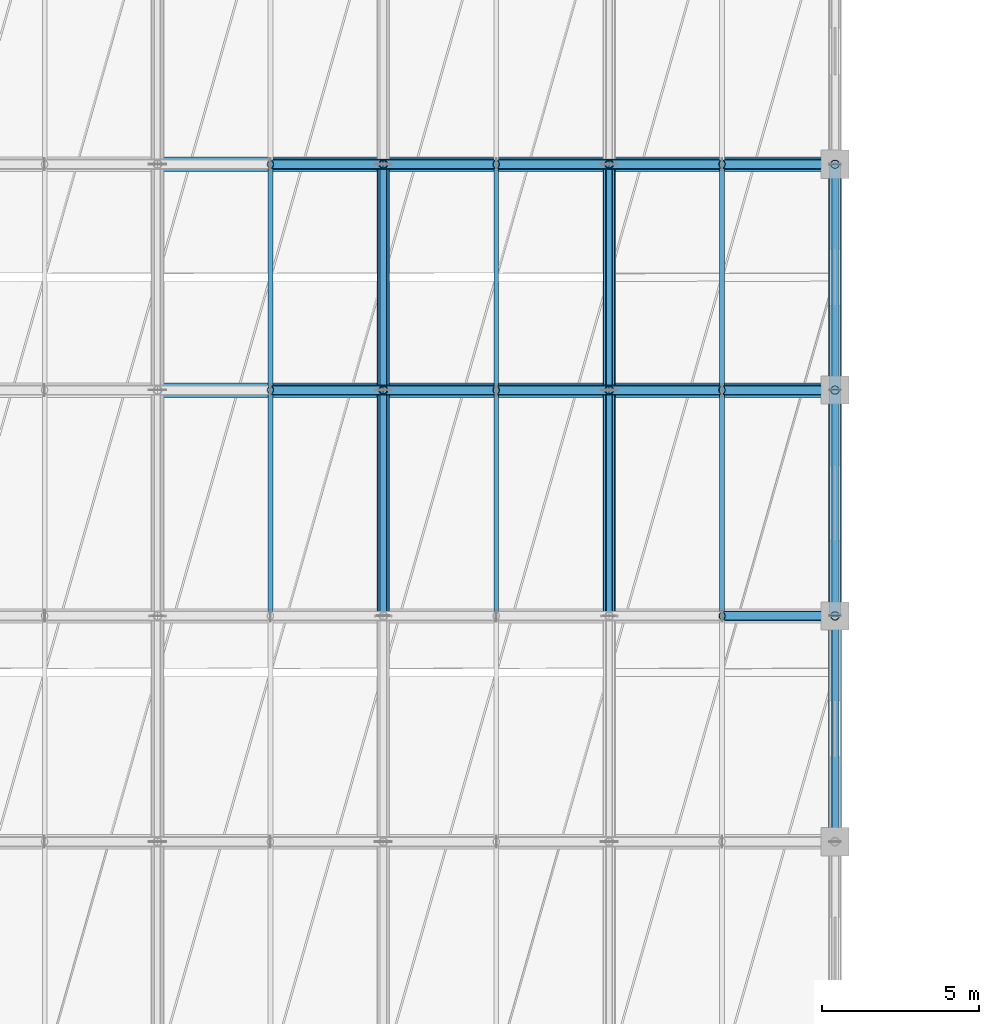
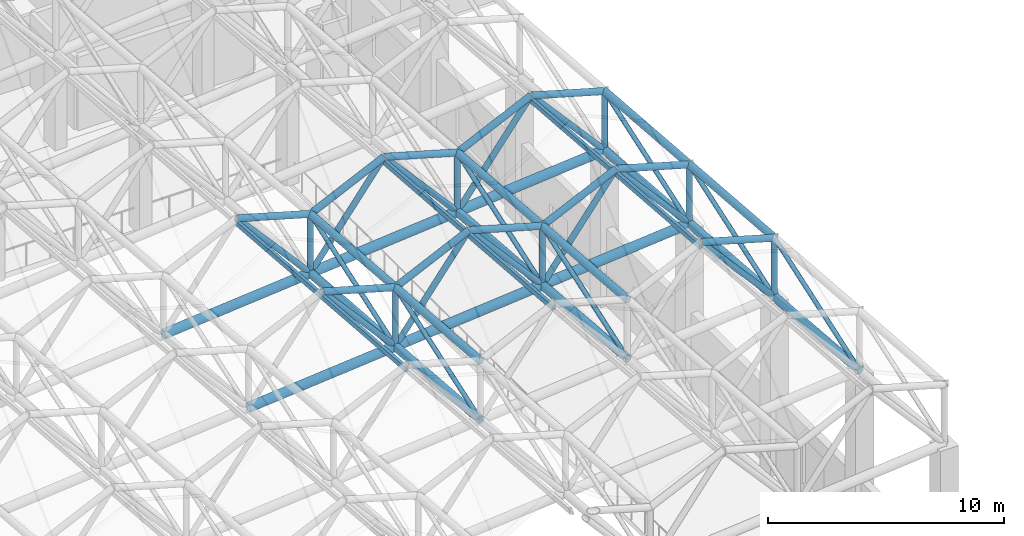
# One storey, part 22 of 113: 61 members.
"""IFC4 building model written with IfcOpenShell, lengths in metres."""

from ifc_helpers import new_model, si_unit, direction, frame, origin, origin_2d, place, context, subcontext, project, spatial, hollow_rectangle, hollow_circle, extrude, material, material_profile, profile_set, type_object, element, save


model = new_model("IFC4")

# Units and contexts
model_context = context("Model", 3, precision=1e-05, world=origin(), true_north=direction((0.0, 1.0)))
body_context = subcontext(model_context, "Body", "Model", "MODEL_VIEW")
ifc_project = project(units=[si_unit("LENGTHUNIT", "METRE"), si_unit("AREAUNIT", "SQUARE_METRE"), si_unit("VOLUMEUNIT", "CUBIC_METRE"), si_unit("PLANEANGLEUNIT", "RADIAN"), si_unit("MASSUNIT", "GRAM", prefix="KILO")], contexts=[model_context])

# Site, building, storey
site_placement = place(None, origin())
site = spatial("IfcSite", under=ifc_project, at=site_placement, CompositionType="ELEMENT")
building_placement = place(site_placement, origin())
building = spatial("IfcBuilding", under=site, at=building_placement, Name="Carrowvane Square Congress Hotel", CompositionType="ELEMENT")
storey_placement = place(building_placement, frame((0.0, 0.0, 15.0)))
storey = spatial("IfcBuildingStorey", under=building, at=storey_placement, Name="L03", CompositionType="ELEMENT", Elevation=15.0)

# Members
ifc_material_1 = material(Name="Steel S355", Category="steel")
ifc_material_profile_1 = material_profile(ifc_material_1, hollow_rectangle(XDim=0.14990234375, YDim=0.25, WallThickness=0.012451171875, at=origin_2d()), Name="RHS 250x150x12.5")
ifc_profile_set_1 = profile_set([ifc_material_profile_1], Name="Steel S355")
member_type_1 = type_object("IfcMemberType", Name="MEM-PR-RHS250", PredefinedType="PURLIN", material=ifc_profile_set_1)
for number, where, z_axis, x_axis, name in (
    (1, (44.0, 19.800048828125, 11.42431640625), (0.0, 0.996864207606, -0.079131230206), (-1.0, 0.0, 0.0), "Space-frame ridge purlin 479"),
    (2, (44.0, 27.0, 10.852783203125), (0.0, 0.996866873479, -0.079097639413), (-1.0, 0.0, 0.0), "Space-frame ridge purlin 480"),
    (3, (51.199951171875, 19.800048828125, 12.08154296875), (0.0, 0.996864207606, -0.079131230206), (-1.0, 0.0, 0.0), "Space-frame ridge purlin 486"),
    (4, (51.199951171875, 27.0, 11.510009765625), (0.0, 0.996864207606, -0.079131230206), (-1.0, 0.0, 0.0), "Space-frame ridge purlin 487"),
    (5, (58.39990234375, 19.800048828125, 12.738525390625), (0.0, 0.996866873479, -0.079097639413), (-1.0, 0.0, 0.0), "Space-frame ridge purlin 493"),
    (6, (58.39990234375, 27.0, 12.167236328125), (0.0, 0.996864207606, -0.079131230206), (-1.0, 0.0, 0.0), "Space-frame ridge purlin 494"),
):
    element("IfcMember", number, at=place(storey_placement, frame(where, z_axis=z_axis, x_axis=x_axis)), inside=storey, type_object=member_type_1, Name=name, PredefinedType="PURLIN", context=body_context, shape_type="SweptSolid", body=[
        extrude(hollow_rectangle(XDim=0.14990234375, YDim=0.25, WallThickness=0.012451171875, at=origin_2d()), origin(), (0.0, 0.0, 1.0), 7.22265625),
    ])
ifc_material_2 = material(Name="Steel S355", Category="steel")
ifc_material_profile_2 = material_profile(ifc_material_2, hollow_circle(Radius=0.136474609375, WallThickness=0.01611328125, at=origin_2d()), Name="CHS 273.0x16")
ifc_profile_set_2 = profile_set([ifc_material_profile_2], Name="Steel S355")
member_type_2 = type_object("IfcMemberType", Name="MEM-ST-CHS273", PredefinedType="STRUT", material=ifc_profile_set_2)
for number, where, z_axis, x_axis, name in (
    (7, (47.60009765625, 27.0, 6.991455078125), (0.0, 0.0, 1.0), (1.0, 0.0, 0.0), "Space-frame vertical post 541"),
    (8, (47.60009765625, 34.199951171875, 6.419921875), (0.0, 0.0, 1.0), (1.0, 0.0, 0.0), "Space-frame vertical post 542"),
):
    element("IfcMember", number, at=place(storey_placement, frame(where, z_axis=z_axis, x_axis=x_axis)), inside=storey, type_object=member_type_2, Name=name, PredefinedType="STRUT", context=body_context, shape_type="SweptSolid", body=[
        extrude(hollow_circle(Radius=0.136474609375, WallThickness=0.01611328125, at=origin_2d()), origin(), (0.0, 0.0, 1.0), 3.050048828125),
    ])
member_1_placement = place(storey_placement, frame((54.800048828125, 27.0, 7.648681640625), z_axis=(0.0, 0.0, 1.0), x_axis=(1.0, 0.0, 0.0)))
element("IfcMember", 9, at=member_1_placement, inside=storey, type_object=member_type_2, Name="Space-frame vertical post 549", PredefinedType="STRUT", context=body_context, shape_type="SweptSolid", body=[
    extrude(hollow_circle(Radius=0.136474609375, WallThickness=0.01611328125, at=origin_2d()), origin(), (0.0, 0.0, 1.0), 3.0498046875),
])
for number, where, z_axis, x_axis, name in (
    (10, (54.800048828125, 34.199951171875, 7.0771484375), (0.0, 0.0, 1.0), (1.0, 0.0, 0.0), "Space-frame vertical post 550"),
    (11, (62.0, 19.800048828125, 8.877197265625), (0.0, 0.0, 1.0), (1.0, 0.0, 0.0), "Space-frame vertical post 556"),
    (12, (62.0, 27.0, 8.3056640625), (0.0, 0.0, 1.0), (1.0, 0.0, 0.0), "Space-frame vertical post 557"),
):
    element("IfcMember", number, at=place(storey_placement, frame(where, z_axis=z_axis, x_axis=x_axis)), inside=storey, type_object=member_type_2, Name=name, PredefinedType="STRUT", context=body_context, shape_type="SweptSolid", body=[
        extrude(hollow_circle(Radius=0.136474609375, WallThickness=0.01611328125, at=origin_2d()), origin(), (0.0, 0.0, 1.0), 3.050048828125),
    ])
member_2_placement = place(storey_placement, frame((62.0, 34.199951171875, 7.734375), z_axis=(0.0, 0.0, 1.0), x_axis=(1.0, 0.0, 0.0)))
element("IfcMember", 13, at=member_2_placement, inside=storey, type_object=member_type_2, Name="Space-frame vertical post 558", PredefinedType="STRUT", context=body_context, shape_type="SweptSolid", body=[
    extrude(hollow_circle(Radius=0.136474609375, WallThickness=0.01611328125, at=origin_2d()), origin(), (0.0, 0.0, 1.0), 3.0498046875),
])
ifc_material_3 = material(Name="Steel S355", Category="steel")
ifc_material_profile_3 = material_profile(ifc_material_3, hollow_circle(Radius=0.161865234375, WallThickness=0.01611328125, at=origin_2d()), Name="CHS 323.9x16")
ifc_profile_set_3 = profile_set([ifc_material_profile_3], Name="Steel S355")
member_type_3 = type_object("IfcMemberType", Name="MEM-TC-CHS324", PredefinedType="CHORD", material=ifc_profile_set_3)
for number, where, z_axis, x_axis, name in (
    (14, (58.39990234375, 19.800048828125, 12.95849609375), (0.961336756204, 0.0, -0.275375454917), (0.0, 1.0, 0.0), "Space-frame folded top chord 271"),
    (15, (44.0, 27.0, 11.07275390625), (0.961336756204, 0.0, -0.275375454917), (0.0, 1.0, 0.0), "Space-frame folded top chord 296"),
):
    element("IfcMember", number, at=place(storey_placement, frame(where, z_axis=z_axis, x_axis=x_axis)), inside=storey, type_object=member_type_3, Name=name, PredefinedType="CHORD", context=body_context, shape_type="SweptSolid", body=[
        extrude(hollow_circle(Radius=0.161865234375, WallThickness=0.01611328125, at=origin_2d()), origin(), (0.0, 0.0, 1.0), 3.744873046875),
    ])
member_3_placement = place(storey_placement, frame((47.60009765625, 27.0, 10.04150390625), z_axis=(0.905357886231, 0.0, 0.424649382243), x_axis=(0.0, 1.0, 0.0)))
element("IfcMember", 16, at=member_3_placement, inside=storey, type_object=member_type_3, Name="Space-frame folded top chord 300", PredefinedType="CHORD", context=body_context, shape_type="SweptSolid", body=[
    extrude(hollow_circle(Radius=0.161865234375, WallThickness=0.01611328125, at=origin_2d()), origin(), (0.0, 0.0, 1.0), 3.97607421875),
])
member_4_placement = place(storey_placement, frame((51.199951171875, 27.0, 11.72998046875), z_axis=(0.961319496164, 0.0, -0.275435702651), x_axis=(0.0, 1.0, 0.0)))
element("IfcMember", 17, at=member_4_placement, inside=storey, type_object=member_type_3, Name="Space-frame folded top chord 301", PredefinedType="CHORD", context=body_context, shape_type="SweptSolid", body=[
    extrude(hollow_circle(Radius=0.161865234375, WallThickness=0.01611328125, at=origin_2d()), origin(), (0.0, 0.0, 1.0), 3.744873046875),
])
member_5_placement = place(storey_placement, frame((54.800048828125, 27.0, 10.698486328125), z_axis=(0.905334279236, 0.0, 0.424699709018), x_axis=(0.0, 1.0, 0.0)))
element("IfcMember", 18, at=member_5_placement, inside=storey, type_object=member_type_3, Name="Space-frame folded top chord 305", PredefinedType="CHORD", context=body_context, shape_type="SweptSolid", body=[
    extrude(hollow_circle(Radius=0.161865234375, WallThickness=0.01611328125, at=origin_2d()), origin(), (0.0, 0.0, 1.0), 3.976318359375),
])
for number, where, z_axis, x_axis, name in (
    (19, (58.39990234375, 27.0, 12.38720703125), (0.961319496164, 0.0, -0.275435702651), (0.0, 1.0, 0.0), "Space-frame folded top chord 306"),
    (20, (44.0, 34.199951171875, 10.50146484375), (0.961319496164, 0.0, -0.275435702651), (0.0, 1.0, 0.0), "Space-frame folded top chord 331"),
):
    element("IfcMember", number, at=place(storey_placement, frame(where, z_axis=z_axis, x_axis=x_axis)), inside=storey, type_object=member_type_3, Name=name, PredefinedType="CHORD", context=body_context, shape_type="SweptSolid", body=[
        extrude(hollow_circle(Radius=0.161865234375, WallThickness=0.01611328125, at=origin_2d()), origin(), (0.0, 0.0, 1.0), 3.744873046875),
    ])
member_6_placement = place(storey_placement, frame((47.60009765625, 34.199951171875, 9.469970703125), z_axis=(0.905334279236, 0.0, 0.424699709018), x_axis=(0.0, 1.0, 0.0)))
element("IfcMember", 21, at=member_6_placement, inside=storey, type_object=member_type_3, Name="Space-frame folded top chord 335", PredefinedType="CHORD", context=body_context, shape_type="SweptSolid", body=[
    extrude(hollow_circle(Radius=0.161865234375, WallThickness=0.01611328125, at=origin_2d()), origin(), (0.0, 0.0, 1.0), 3.976318359375),
])
member_7_placement = place(storey_placement, frame((51.199951171875, 34.199951171875, 11.15869140625), z_axis=(0.961319496164, 0.0, -0.275435702651), x_axis=(0.0, 1.0, 0.0)))
element("IfcMember", 22, at=member_7_placement, inside=storey, type_object=member_type_3, Name="Space-frame folded top chord 336", PredefinedType="CHORD", context=body_context, shape_type="SweptSolid", body=[
    extrude(hollow_circle(Radius=0.161865234375, WallThickness=0.01611328125, at=origin_2d()), origin(), (0.0, 0.0, 1.0), 3.744873046875),
])
member_8_placement = place(storey_placement, frame((54.800048828125, 34.199951171875, 10.127197265625), z_axis=(0.905357886231, 0.0, 0.424649382243), x_axis=(0.0, 1.0, 0.0)))
element("IfcMember", 23, at=member_8_placement, inside=storey, type_object=member_type_3, Name="Space-frame folded top chord 340", PredefinedType="CHORD", context=body_context, shape_type="SweptSolid", body=[
    extrude(hollow_circle(Radius=0.161865234375, WallThickness=0.01611328125, at=origin_2d()), origin(), (0.0, 0.0, 1.0), 3.97607421875),
])
member_9_placement = place(storey_placement, frame((58.39990234375, 34.199951171875, 11.815673828125), z_axis=(0.961319496164, 0.0, -0.275435702651), x_axis=(0.0, 1.0, 0.0)))
element("IfcMember", 24, at=member_9_placement, inside=storey, type_object=member_type_3, Name="Space-frame folded top chord 341", PredefinedType="CHORD", context=body_context, shape_type="SweptSolid", body=[
    extrude(hollow_circle(Radius=0.161865234375, WallThickness=0.01611328125, at=origin_2d()), origin(), (0.0, 0.0, 1.0), 3.744873046875),
])
ifc_material_4 = material(Name="Steel S355", Category="steel")
ifc_material_profile_4 = material_profile(ifc_material_4, hollow_circle(Radius=0.177734375, WallThickness=0.02001953125, at=origin_2d()), Name="CHS 355.6x20")
ifc_profile_set_4 = profile_set([ifc_material_profile_4], Name="Steel S355")
member_type_4 = type_object("IfcMemberType", Name="MEM-TC-CHS356", PredefinedType="CHORD", material=ifc_profile_set_4)
for number, where, z_axis, x_axis, name in (
    (25, (47.60009765625, 19.800048828125, 10.61279296875), (0.0, 0.996866873479, -0.079097639413), (-1.0, 0.0, 0.0), "Space-frame valley top chord 112"),
    (26, (47.60009765625, 27.0, 10.04150390625), (0.0, 0.996864207606, -0.079131230206), (-1.0, 0.0, 0.0), "Space-frame valley top chord 115"),
    (27, (54.800048828125, 19.800048828125, 11.27001953125), (0.0, 0.996864207606, -0.079131230206), (-1.0, 0.0, 0.0), "Space-frame valley top chord 133"),
    (28, (54.800048828125, 27.0, 10.698486328125), (0.0, 0.996866873479, -0.079097639413), (-1.0, 0.0, 0.0), "Space-frame valley top chord 136"),
    (29, (62.0, 19.800048828125, 11.92724609375), (0.0, 0.996864207606, -0.079131230206), (-1.0, 0.0, 0.0), "Space-frame valley top chord 154"),
    (30, (62.0, 27.0, 11.355712890625), (0.0, 0.996864207606, -0.079131230206), (-1.0, 0.0, 0.0), "Space-frame valley top chord 157"),
):
    element("IfcMember", number, at=place(storey_placement, frame(where, z_axis=z_axis, x_axis=x_axis)), inside=storey, type_object=member_type_4, Name=name, PredefinedType="CHORD", context=body_context, shape_type="SweptSolid", body=[
        extrude(hollow_circle(Radius=0.177734375, WallThickness=0.02001953125, at=origin_2d()), origin(), (0.0, 0.0, 1.0), 7.22265625),
    ])
ifc_material_5 = material(Name="Steel S355", Category="steel")
ifc_material_profile_5 = material_profile(ifc_material_5, hollow_circle(Radius=0.203125, WallThickness=0.02001953125, at=origin_2d()), Name="CHS 406.4x20")
ifc_profile_set_5 = profile_set([ifc_material_profile_5], Name="Steel S355")
member_type_5 = type_object("IfcMemberType", Name="MEM-TC-CHS406", PredefinedType="CHORD", material=ifc_profile_set_5)
for number, where, z_axis, x_axis, name in (
    (31, (47.60009765625, 19.800048828125, 7.562744140625), (0.0, 0.996866873479, -0.079097639413), (-1.0, 0.0, 0.0), "Space-frame bottom chord 113"),
    (32, (47.60009765625, 27.0, 6.991455078125), (0.0, 0.996864207606, -0.079131230206), (-1.0, 0.0, 0.0), "Space-frame bottom chord 116"),
    (33, (54.800048828125, 19.800048828125, 8.219970703125), (0.0, 0.996866873479, -0.079097639413), (-1.0, 0.0, 0.0), "Space-frame bottom chord 134"),
    (34, (54.800048828125, 27.0, 7.648681640625), (0.0, 0.996864207606, -0.079131230206), (-1.0, 0.0, 0.0), "Space-frame bottom chord 137"),
    (35, (62.0, 12.60009765625, 9.448486328125), (0.0, 0.996866873479, -0.079097639413), (-1.0, 0.0, 0.0), "Space-frame bottom chord 152"),
    (36, (62.0, 19.800048828125, 8.877197265625), (0.0, 0.996864207606, -0.079131230206), (-1.0, 0.0, 0.0), "Space-frame bottom chord 155"),
    (37, (62.0, 27.0, 8.3056640625), (0.0, 0.996866873479, -0.079097639413), (-1.0, 0.0, 0.0), "Space-frame bottom chord 158"),
):
    element("IfcMember", number, at=place(storey_placement, frame(where, z_axis=z_axis, x_axis=x_axis)), inside=storey, type_object=member_type_5, Name=name, PredefinedType="CHORD", context=body_context, shape_type="SweptSolid", body=[
        extrude(hollow_circle(Radius=0.203125, WallThickness=0.02001953125, at=origin_2d()), origin(), (0.0, 0.0, 1.0), 7.22265625),
    ])
ifc_material_6 = material(Name="Steel S355", Category="steel")
ifc_material_profile_6 = material_profile(ifc_material_6, hollow_circle(Radius=0.228515625, WallThickness=0.02490234375, at=origin_2d()), Name="CHS 457.0x25")
ifc_profile_set_6 = profile_set([ifc_material_profile_6], Name="Steel S355")
member_type_6 = type_object("IfcMemberType", Name="MEM-TC-CHS457", PredefinedType="CHORD", material=ifc_profile_set_6)
member_10_placement = place(storey_placement, frame((40.39990234375, 27.0, 6.334228515625), z_axis=(0.995859925891, 0.0, 0.090901089126), x_axis=(0.0, 1.0, 0.0)))
element("IfcMember", 38, at=member_10_placement, inside=storey, type_object=member_type_6, Name="Space-frame cross bottom chord 294", PredefinedType="CHORD", context=body_context, shape_type="SweptSolid", body=[
    extrude(hollow_circle(Radius=0.228515625, WallThickness=0.02490234375, at=origin_2d()), origin(), (0.0, 0.0, 1.0), 7.230224609375),
])
for number, where, z_axis, x_axis, name in (
    (39, (47.60009765625, 27.0, 6.991455078125), (0.995859646859, 0.0, 0.090904145988), (0.0, 1.0, 0.0), "Space-frame cross bottom chord 299"),
    (40, (54.800048828125, 27.0, 7.648681640625), (0.99586270327, 0.0, 0.090870656624), (0.0, 1.0, 0.0), "Space-frame cross bottom chord 304"),
):
    element("IfcMember", number, at=place(storey_placement, frame(where, z_axis=z_axis, x_axis=x_axis)), inside=storey, type_object=member_type_6, Name=name, PredefinedType="CHORD", context=body_context, shape_type="SweptSolid", body=[
        extrude(hollow_circle(Radius=0.228515625, WallThickness=0.02490234375, at=origin_2d()), origin(), (0.0, 0.0, 1.0), 7.22998046875),
    ])
member_11_placement = place(storey_placement, frame((40.39990234375, 34.199951171875, 5.762939453125), z_axis=(0.995862982098, 0.0, 0.090867600869), x_axis=(0.0, 1.0, 0.0)))
element("IfcMember", 41, at=member_11_placement, inside=storey, type_object=member_type_6, Name="Space-frame cross bottom chord 329", PredefinedType="CHORD", context=body_context, shape_type="SweptSolid", body=[
    extrude(hollow_circle(Radius=0.228515625, WallThickness=0.02490234375, at=origin_2d()), origin(), (0.0, 0.0, 1.0), 7.230224609375),
])
for number, where, z_axis, x_axis, name in (
    (42, (47.60009765625, 34.199951171875, 6.419921875), (0.995859646859, 0.0, 0.090904145988), (0.0, 1.0, 0.0), "Space-frame cross bottom chord 334"),
    (43, (54.800048828125, 34.199951171875, 7.0771484375), (0.995859646859, 0.0, 0.090904145988), (0.0, 1.0, 0.0), "Space-frame cross bottom chord 339"),
):
    element("IfcMember", number, at=place(storey_placement, frame(where, z_axis=z_axis, x_axis=x_axis)), inside=storey, type_object=member_type_6, Name=name, PredefinedType="CHORD", context=body_context, shape_type="SweptSolid", body=[
        extrude(hollow_circle(Radius=0.228515625, WallThickness=0.02490234375, at=origin_2d()), origin(), (0.0, 0.0, 1.0), 7.22998046875),
    ])
ifc_material_7 = material(Name="Steel S355", Category="steel")
ifc_material_profile_7 = material_profile(ifc_material_7, hollow_circle(Radius=0.109619140625, WallThickness=0.012451171875, at=origin_2d()), Name="CHS 219.1x12.5")
ifc_profile_set_7 = profile_set([ifc_material_profile_7], Name="Steel S355")
member_type_7 = type_object("IfcMemberType", Name="MEM-TD-CHS219", PredefinedType="BRACE", material=ifc_profile_set_7)
member_12_placement = place(storey_placement, frame((47.60009765625, 19.800048828125, 7.562744140625), z_axis=(0.0, 0.945534026813, 0.325523277415), x_axis=(-1.0, 0.0, 0.0)))
element("IfcMember", 44, at=member_12_placement, inside=storey, type_object=member_type_7, Name="Space-frame web diagonal 114", PredefinedType="BRACE", context=body_context, shape_type="SweptSolid", body=[
    extrude(hollow_circle(Radius=0.109619140625, WallThickness=0.012451171875, at=origin_2d()), origin(), (0.0, 0.0, 1.0), 7.61474609375),
])
for number, where, z_axis, x_axis, name in (
    (45, (47.60009765625, 27.0, 6.991455078125), (0.0, 0.945543894884, 0.325494612623), (-1.0, 0.0, 0.0), "Space-frame web diagonal 117"),
    (46, (54.800048828125, 19.800048828125, 8.219970703125), (0.0, 0.945543894884, 0.325494612623), (-1.0, 0.0, 0.0), "Space-frame web diagonal 135"),
    (47, (54.800048828125, 27.0, 7.648681640625), (0.0, 0.945543894884, 0.325494612623), (-1.0, 0.0, 0.0), "Space-frame web diagonal 138"),
):
    element("IfcMember", number, at=place(storey_placement, frame(where, z_axis=z_axis, x_axis=x_axis)), inside=storey, type_object=member_type_7, Name=name, PredefinedType="BRACE", context=body_context, shape_type="SweptSolid", body=[
        extrude(hollow_circle(Radius=0.109619140625, WallThickness=0.012451171875, at=origin_2d()), origin(), (0.0, 0.0, 1.0), 7.614501953125),
    ])
member_13_placement = place(storey_placement, frame((62.0, 12.60009765625, 9.448486328125), z_axis=(0.0, 0.945534026813, 0.325523277415), x_axis=(-1.0, 0.0, 0.0)))
element("IfcMember", 48, at=member_13_placement, inside=storey, type_object=member_type_7, Name="Space-frame web diagonal 153", PredefinedType="BRACE", context=body_context, shape_type="SweptSolid", body=[
    extrude(hollow_circle(Radius=0.109619140625, WallThickness=0.012451171875, at=origin_2d()), origin(), (0.0, 0.0, 1.0), 7.61474609375),
])
for number, where, z_axis, x_axis, name in (
    (49, (62.0, 19.800048828125, 8.877197265625), (0.0, 0.945543894884, 0.325494612623), (-1.0, 0.0, 0.0), "Space-frame web diagonal 156"),
    (50, (62.0, 27.0, 8.3056640625), (0.0, 0.945543894884, 0.325494612623), (-1.0, 0.0, 0.0), "Space-frame web diagonal 159"),
):
    element("IfcMember", number, at=place(storey_placement, frame(where, z_axis=z_axis, x_axis=x_axis)), inside=storey, type_object=member_type_7, Name=name, PredefinedType="BRACE", context=body_context, shape_type="SweptSolid", body=[
        extrude(hollow_circle(Radius=0.109619140625, WallThickness=0.012451171875, at=origin_2d()), origin(), (0.0, 0.0, 1.0), 7.614501953125),
    ])
ifc_material_8 = material(Name="Steel S355", Category="steel")
ifc_material_profile_8 = material_profile(ifc_material_8, hollow_circle(Radius=0.136474609375, WallThickness=0.01611328125, at=origin_2d()), Name="CHS 273.0x16")
ifc_profile_set_8 = profile_set([ifc_material_profile_8], Name="Steel S355")
member_type_8 = type_object("IfcMemberType", Name="MEM-TD-CHS273", PredefinedType="BRACE", material=ifc_profile_set_8)
for number, where, z_axis, x_axis, name in (
    (51, (62.0, 19.800048828125, 8.877197265625), (-0.66151331907, 0.0, 0.749933416173), (0.0, -1.0, 0.0), "Space-frame space diagonal 273"),
    (52, (47.60009765625, 27.0, 6.991455078125), (-0.66151331907, 0.0, 0.749933416173), (0.0, -1.0, 0.0), "Space-frame space diagonal 298"),
):
    element("IfcMember", number, at=place(storey_placement, frame(where, z_axis=z_axis, x_axis=x_axis)), inside=storey, type_object=member_type_8, Name=name, PredefinedType="BRACE", context=body_context, shape_type="SweptSolid", body=[
        extrude(hollow_circle(Radius=0.136474609375, WallThickness=0.01611328125, at=origin_2d()), origin(), (0.0, 0.0, 1.0), 5.442138671875),
    ])
member_14_placement = place(storey_placement, frame((47.60009765625, 27.0, 6.991455078125), z_axis=(0.604931384673, 0.0, 0.796277602246), x_axis=(0.0, 1.0, 0.0)))
element("IfcMember", 53, at=member_14_placement, inside=storey, type_object=member_type_8, Name="Space-frame space diagonal 302", PredefinedType="BRACE", context=body_context, shape_type="SweptSolid", body=[
    extrude(hollow_circle(Radius=0.136474609375, WallThickness=0.01611328125, at=origin_2d()), origin(), (0.0, 0.0, 1.0), 5.950927734375),
])
member_15_placement = place(storey_placement, frame((54.800048828125, 27.0, 7.648681640625), z_axis=(-0.66151331907, 0.0, 0.749933416173), x_axis=(0.0, -1.0, 0.0)))
element("IfcMember", 54, at=member_15_placement, inside=storey, type_object=member_type_8, Name="Space-frame space diagonal 303", PredefinedType="BRACE", context=body_context, shape_type="SweptSolid", body=[
    extrude(hollow_circle(Radius=0.136474609375, WallThickness=0.01611328125, at=origin_2d()), origin(), (0.0, 0.0, 1.0), 5.442138671875),
])
member_16_placement = place(storey_placement, frame((54.800048828125, 27.0, 7.648681640625), z_axis=(0.604931384673, 0.0, 0.796277602246), x_axis=(0.0, 1.0, 0.0)))
element("IfcMember", 55, at=member_16_placement, inside=storey, type_object=member_type_8, Name="Space-frame space diagonal 307", PredefinedType="BRACE", context=body_context, shape_type="SweptSolid", body=[
    extrude(hollow_circle(Radius=0.136474609375, WallThickness=0.01611328125, at=origin_2d()), origin(), (0.0, 0.0, 1.0), 5.950927734375),
])
for number, where, z_axis, x_axis, name in (
    (56, (62.0, 27.0, 8.3056640625), (-0.661491064627, 0.0, 0.749953046143), (0.0, -1.0, 0.0), "Space-frame space diagonal 308"),
    (57, (47.60009765625, 34.199951171875, 6.419921875), (-0.661491064627, 0.0, 0.749953046143), (0.0, -1.0, 0.0), "Space-frame space diagonal 333"),
):
    element("IfcMember", number, at=place(storey_placement, frame(where, z_axis=z_axis, x_axis=x_axis)), inside=storey, type_object=member_type_8, Name=name, PredefinedType="BRACE", context=body_context, shape_type="SweptSolid", body=[
        extrude(hollow_circle(Radius=0.136474609375, WallThickness=0.01611328125, at=origin_2d()), origin(), (0.0, 0.0, 1.0), 5.4423828125),
    ])
member_17_placement = place(storey_placement, frame((47.60009765625, 34.199951171875, 6.419921875), z_axis=(0.604911623084, 0.0, 0.79629261472), x_axis=(0.0, 1.0, 0.0)))
element("IfcMember", 58, at=member_17_placement, inside=storey, type_object=member_type_8, Name="Space-frame space diagonal 337", PredefinedType="BRACE", context=body_context, shape_type="SweptSolid", body=[
    extrude(hollow_circle(Radius=0.136474609375, WallThickness=0.01611328125, at=origin_2d()), origin(), (0.0, 0.0, 1.0), 5.950927734375),
])
member_18_placement = place(storey_placement, frame((54.800048828125, 34.199951171875, 7.0771484375), z_axis=(-0.661491064627, 0.0, 0.749953046143), x_axis=(0.0, -1.0, 0.0)))
element("IfcMember", 59, at=member_18_placement, inside=storey, type_object=member_type_8, Name="Space-frame space diagonal 338", PredefinedType="BRACE", context=body_context, shape_type="SweptSolid", body=[
    extrude(hollow_circle(Radius=0.136474609375, WallThickness=0.01611328125, at=origin_2d()), origin(), (0.0, 0.0, 1.0), 5.4423828125),
])
member_19_placement = place(storey_placement, frame((54.800048828125, 34.199951171875, 7.0771484375), z_axis=(0.604931384673, 0.0, 0.796277602246), x_axis=(0.0, 1.0, 0.0)))
element("IfcMember", 60, at=member_19_placement, inside=storey, type_object=member_type_8, Name="Space-frame space diagonal 342", PredefinedType="BRACE", context=body_context, shape_type="SweptSolid", body=[
    extrude(hollow_circle(Radius=0.136474609375, WallThickness=0.01611328125, at=origin_2d()), origin(), (0.0, 0.0, 1.0), 5.950927734375),
])
member_20_placement = place(storey_placement, frame((62.0, 34.199951171875, 7.734375), z_axis=(-0.66151331907, 0.0, 0.749933416173), x_axis=(0.0, -1.0, 0.0)))
element("IfcMember", 61, at=member_20_placement, inside=storey, type_object=member_type_8, Name="Space-frame space diagonal 343", PredefinedType="BRACE", context=body_context, shape_type="SweptSolid", body=[
    extrude(hollow_circle(Radius=0.136474609375, WallThickness=0.01611328125, at=origin_2d()), origin(), (0.0, 0.0, 1.0), 5.442138671875),
])

save(model, "model.ifc")
